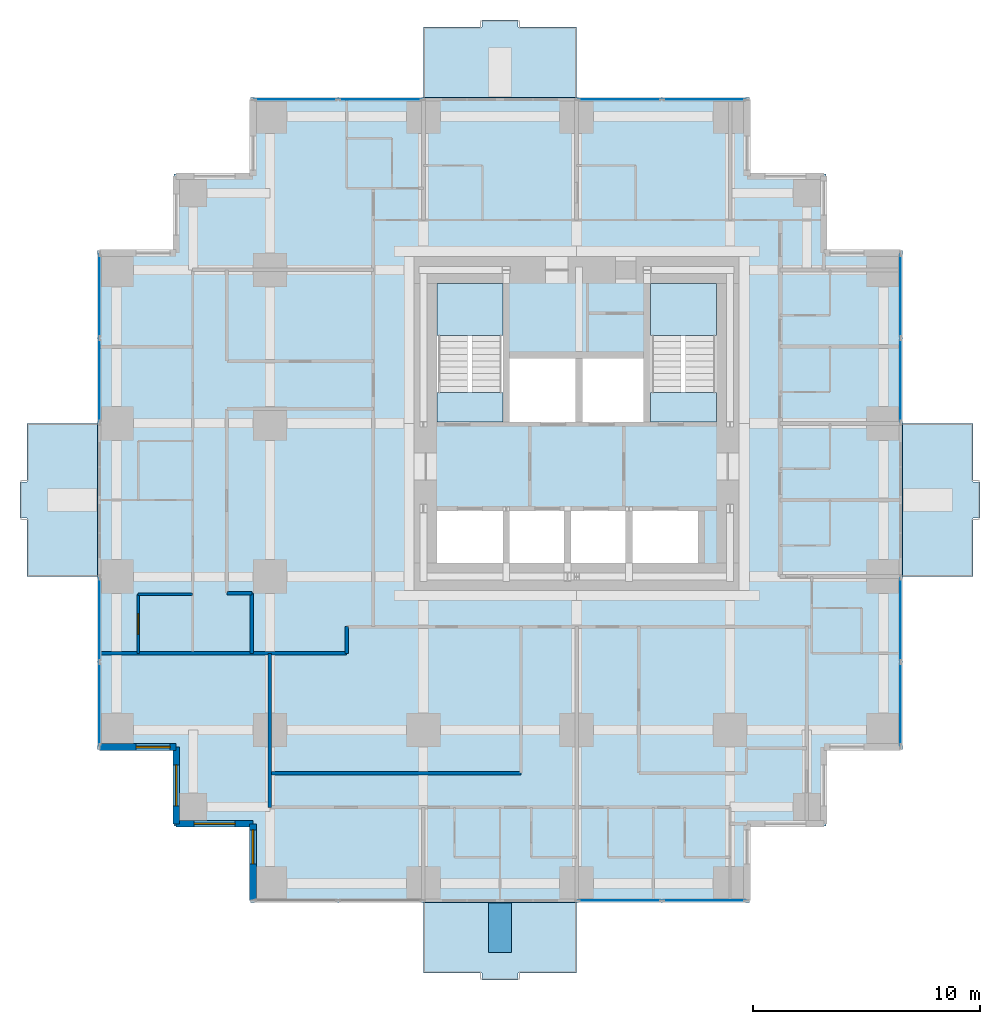
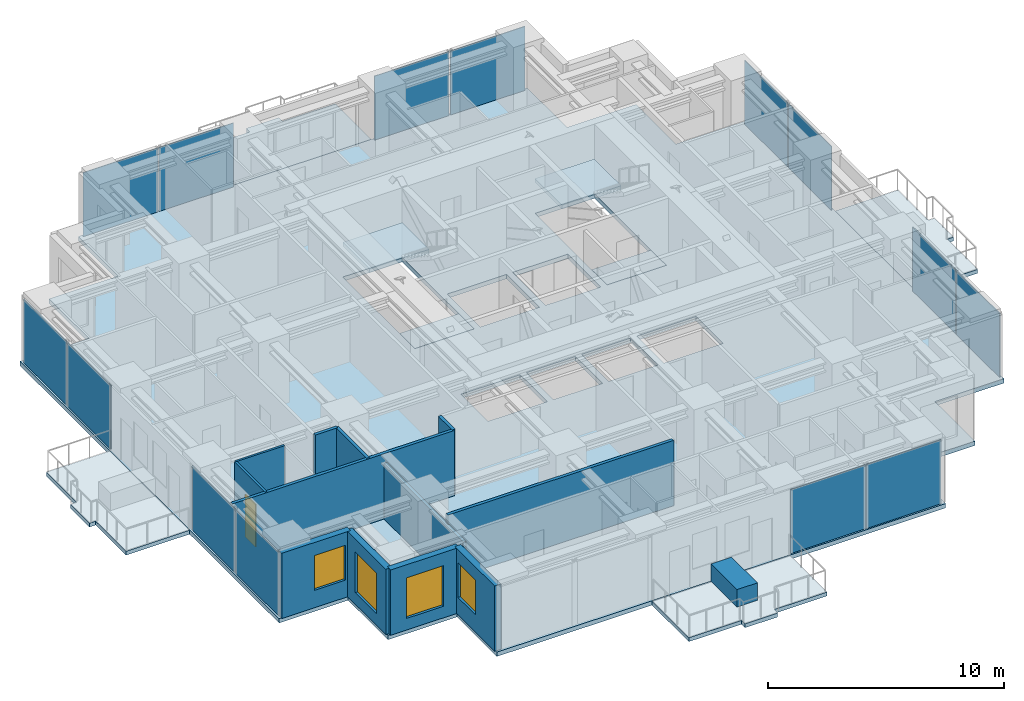
# One storey, part 4 of 10: 14 plates, 13 walls, 9 slabs, 4 windows, 1 door, 5 openings, 9 elements without a shape of their own.
"""IFC4 building model written with IfcOpenShell, lengths in metres."""

from ifc_helpers import new_model, si_unit, direction, frame, frame_2d, origin, origin_2d, place, context, subcontext, project, spatial, polyline, rectangle, outline, extrude, material, layer, layer_set, type_object, element, fill, aggregate, save


model = new_model("IFC4")

# Units and contexts
model_context = context("Model", 3, precision=1e-05, world=origin(), true_north=direction((0.0, 1.0)))
body_context = subcontext(model_context, "Body", "Model", "MODEL_VIEW")
ifc_project = project(units=[si_unit("LENGTHUNIT", "METRE"), si_unit("AREAUNIT", "SQUARE_METRE"), si_unit("VOLUMEUNIT", "CUBIC_METRE"), si_unit("PLANEANGLEUNIT", "RADIAN"), si_unit("MASSUNIT", "GRAM", prefix="KILO")], contexts=[model_context])

# Site, building, storey
site_placement = place(None, origin())
site = spatial("IfcSite", under=ifc_project, at=site_placement, CompositionType="ELEMENT")
building_placement = place(site_placement, origin())
building = spatial("IfcBuilding", under=site, at=building_placement, Name="Nyansa Garden Tower", CompositionType="ELEMENT")
storey_placement = place(building_placement, frame((0.0, 0.0, 163.800048828125)))
storey = spatial("IfcBuildingStorey", under=building, at=storey_placement, Name="L44", CompositionType="ELEMENT", Elevation=163.800048828125)

# Slabs
ifc_material_1 = material(Name="Concrete C40/50", Category="concrete")
ifc_layer_1 = layer(ifc_material_1, 0.199951171875)
ifc_layer_set_1 = layer_set([ifc_layer_1], Name="Balcony slab BS200")
slab_type_1 = type_object("IfcSlabType", Name="Balcony slab BS200", PredefinedType="FLOOR", material=ifc_layer_set_1)
slab_1_placement = place(storey_placement, frame((0.0, 0.0, -0.239990234375)))
element("IfcSlab", 1, at=slab_1_placement, inside=storey, type_object=slab_type_1, Name="Balcony L44 S", PredefinedType="FLOOR", context=body_context, shape_type="SweptSolid", body=[
    extrude(outline(polyline([(13.5, -0.85009765625), (20.25, -0.85009765625), (20.25, -3.949951171875), (17.675048828125, -3.949951171875), (17.675048828125, -4.25), (16.074951171875, -4.25), (16.074951171875, -3.949951171875), (13.5, -3.949951171875), (13.5, -0.85009765625)])), origin(), (0.0, 0.0, 1.0), 0.199951171875),
])
slab_2_placement = place(storey_placement, frame((0.0, 0.0, -0.239990234375)))
element("IfcSlab", 2, at=slab_2_placement, inside=storey, type_object=slab_type_1, Name="Balcony L44 E", PredefinedType="FLOOR", context=body_context, shape_type="SweptSolid", body=[
    extrude(outline(polyline([(34.60009765625, 13.5), (34.60009765625, 20.25), (37.699951171875, 20.25), (37.699951171875, 17.675048828125), (38.0, 17.675048828125), (38.0, 16.074951171875), (37.699951171875, 16.074951171875), (37.699951171875, 13.5), (34.60009765625, 13.5)])), origin(), (0.0, 0.0, 1.0), 0.199951171875),
])
slab_3_placement = place(storey_placement, frame((0.0, 0.0, -0.239990234375)))
element("IfcSlab", 3, at=slab_3_placement, inside=storey, type_object=slab_type_1, Name="Balcony L44 N", PredefinedType="FLOOR", context=body_context, shape_type="SweptSolid", body=[
    extrude(outline(polyline([(13.5, 34.60009765625), (20.25, 34.60009765625), (20.25, 37.699951171875), (17.675048828125, 37.699951171875), (17.675048828125, 38.0), (16.074951171875, 38.0), (16.074951171875, 37.699951171875), (13.5, 37.699951171875), (13.5, 34.60009765625)])), origin(), (0.0, 0.0, 1.0), 0.199951171875),
])
slab_4_placement = place(storey_placement, frame((0.0, 0.0, -0.239990234375)))
element("IfcSlab", 4, at=slab_4_placement, inside=storey, type_object=slab_type_1, Name="Balcony L44 W", PredefinedType="FLOOR", context=body_context, shape_type="SweptSolid", body=[
    extrude(outline(polyline([(-0.85009765625, 13.5), (-0.85009765625, 20.25), (-3.949951171875, 20.25), (-3.949951171875, 17.675048828125), (-4.25, 17.675048828125), (-4.25, 16.074951171875), (-3.949951171875, 16.074951171875), (-3.949951171875, 13.5), (-0.85009765625, 13.5)])), origin(), (0.0, 0.0, 1.0), 0.199951171875),
])

# Curtain wall, plates
ifc_material_2 = material(Name="Black anodised aluminium, dark tinted double glazing", Category="aluminium")
curtain_wall_type = type_object("IfcCurtainWallType", Name="Inner skin curtain wall ISW-C", PredefinedType="USERDEFINED", material=ifc_material_2)
curtain_wall_1_placement = place(storey_placement, origin())
curtain_wall_1 = element("IfcCurtainWall", 5, at=curtain_wall_1_placement, inside=storey, type_object=curtain_wall_type, Name="Inner skin curtain wall L44 E", ObjectType="UNITISED CURTAIN WALL", PredefinedType="USERDEFINED")
ifc_material_3 = material(Name="Dark tinted laminated double glazing", Category="glass")
ifc_layer_2 = layer(ifc_material_3, 0.0400390625)
ifc_layer_set_2 = layer_set([ifc_layer_2], Name="Dark tinted vision panel VP-C")
plate_type = type_object("IfcPlateType", Name="Dark tinted vision panel VP-C", PredefinedType="CURTAIN_PANEL", material=ifc_layer_set_2)
plate_1_placement = place(storey_placement, frame((34.5, 7.892578125, 0.0), z_axis=(0.0, 0.0, 1.0), x_axis=(0.0, 1.0, 0.0)))
plate_1 = element("IfcPlate", 6, at=plate_1_placement, type_object=plate_type, Name="ISW-C panel 1", PredefinedType="CURTAIN_PANEL", context=body_context, shape_type="SweptSolid", body=[
    extrude(rectangle(XDim=3.64501953125, YDim=0.0400390625, at=origin_2d()), origin(), (0.0, 0.0, 1.0), 3.304931640625),
])
plate_2_placement = place(storey_placement, frame((34.5, 11.607421875, 0.0), z_axis=(0.0, 0.0, 1.0), x_axis=(0.0, 1.0, 0.0)))
plate_2 = element("IfcPlate", 7, at=plate_2_placement, type_object=plate_type, Name="ISW-C panel 2", PredefinedType="CURTAIN_PANEL", context=body_context, shape_type="SweptSolid", body=[
    extrude(rectangle(XDim=3.64501953125, YDim=0.0400390625, at=origin_2d()), origin(), (0.0, 0.0, 1.0), 3.304931640625),
])
aggregate(curtain_wall_1, [plate_1, plate_2])

curtain_wall_2_placement = place(storey_placement, origin())
curtain_wall_2 = element("IfcCurtainWall", 8, at=curtain_wall_2_placement, inside=storey, type_object=curtain_wall_type, Name="Inner skin curtain wall L44 E", ObjectType="UNITISED CURTAIN WALL", PredefinedType="USERDEFINED")
plate_3_placement = place(storey_placement, frame((34.5, 22.142578125, 0.0), z_axis=(0.0, 0.0, 1.0), x_axis=(0.0, 1.0, 0.0)))
plate_3 = element("IfcPlate", 9, at=plate_3_placement, type_object=plate_type, Name="ISW-C panel 1", PredefinedType="CURTAIN_PANEL", context=body_context, shape_type="SweptSolid", body=[
    extrude(rectangle(XDim=3.64501953125, YDim=0.0400390625, at=origin_2d()), origin(), (0.0, 0.0, 1.0), 3.304931640625),
])
plate_4_placement = place(storey_placement, frame((34.5, 25.857421875, 0.0), z_axis=(0.0, 0.0, 1.0), x_axis=(0.0, 1.0, 0.0)))
plate_4 = element("IfcPlate", 10, at=plate_4_placement, type_object=plate_type, Name="ISW-C panel 2", PredefinedType="CURTAIN_PANEL", context=body_context, shape_type="SweptSolid", body=[
    extrude(rectangle(XDim=3.64501953125, YDim=0.0400390625, at=origin_2d()), origin(), (0.0, 0.0, 1.0), 3.304931640625),
])
aggregate(curtain_wall_2, [plate_3, plate_4])

curtain_wall_3_placement = place(storey_placement, origin())
curtain_wall_3 = element("IfcCurtainWall", 11, at=curtain_wall_3_placement, inside=storey, type_object=curtain_wall_type, Name="Inner skin curtain wall L44 N", ObjectType="UNITISED CURTAIN WALL", PredefinedType="USERDEFINED")
plate_5_placement = place(storey_placement, frame((11.607421875, 34.5, 0.0), z_axis=(0.0, 0.0, 1.0), x_axis=(-1.0, 0.0, 0.0)))
plate_5 = element("IfcPlate", 12, at=plate_5_placement, type_object=plate_type, Name="ISW-C panel 1", PredefinedType="CURTAIN_PANEL", context=body_context, shape_type="SweptSolid", body=[
    extrude(rectangle(XDim=3.64501953125, YDim=0.0400390625, at=origin_2d()), origin(), (0.0, 0.0, 1.0), 3.304931640625),
])
plate_6_placement = place(storey_placement, frame((7.892578125, 34.5, 0.0), z_axis=(0.0, 0.0, 1.0), x_axis=(-1.0, 0.0, 0.0)))
plate_6 = element("IfcPlate", 13, at=plate_6_placement, type_object=plate_type, Name="ISW-C panel 2", PredefinedType="CURTAIN_PANEL", context=body_context, shape_type="SweptSolid", body=[
    extrude(rectangle(XDim=3.64501953125, YDim=0.0400390625, at=origin_2d()), origin(), (0.0, 0.0, 1.0), 3.304931640625),
])
aggregate(curtain_wall_3, [plate_5, plate_6])

curtain_wall_4_placement = place(storey_placement, origin())
curtain_wall_4 = element("IfcCurtainWall", 14, at=curtain_wall_4_placement, inside=storey, type_object=curtain_wall_type, Name="Inner skin curtain wall L44 N", ObjectType="UNITISED CURTAIN WALL", PredefinedType="USERDEFINED")
plate_7_placement = place(storey_placement, frame((25.857421875, 34.5, 0.0), z_axis=(0.0, 0.0, 1.0), x_axis=(-1.0, 0.0, 0.0)))
plate_7 = element("IfcPlate", 15, at=plate_7_placement, type_object=plate_type, Name="ISW-C panel 1", PredefinedType="CURTAIN_PANEL", context=body_context, shape_type="SweptSolid", body=[
    extrude(rectangle(XDim=3.64501953125, YDim=0.0400390625, at=origin_2d()), origin(), (0.0, 0.0, 1.0), 3.304931640625),
])
plate_8_placement = place(storey_placement, frame((22.142578125, 34.5, 0.0), z_axis=(0.0, 0.0, 1.0), x_axis=(-1.0, 0.0, 0.0)))
plate_8 = element("IfcPlate", 16, at=plate_8_placement, type_object=plate_type, Name="ISW-C panel 2", PredefinedType="CURTAIN_PANEL", context=body_context, shape_type="SweptSolid", body=[
    extrude(rectangle(XDim=3.64501953125, YDim=0.0400390625, at=origin_2d()), origin(), (0.0, 0.0, 1.0), 3.304931640625),
])
aggregate(curtain_wall_4, [plate_7, plate_8])

curtain_wall_5_placement = place(storey_placement, origin())
curtain_wall_5 = element("IfcCurtainWall", 17, at=curtain_wall_5_placement, inside=storey, type_object=curtain_wall_type, Name="Inner skin curtain wall L44 W", ObjectType="UNITISED CURTAIN WALL", PredefinedType="USERDEFINED")
plate_9_placement = place(storey_placement, frame((-0.75, 11.607421875, 0.0), z_axis=(0.0, 0.0, 1.0), x_axis=(0.0, -1.0, 0.0)))
plate_9 = element("IfcPlate", 18, at=plate_9_placement, type_object=plate_type, Name="ISW-C panel 1", PredefinedType="CURTAIN_PANEL", context=body_context, shape_type="SweptSolid", body=[
    extrude(rectangle(XDim=3.64501953125, YDim=0.0400390625, at=origin_2d()), origin(), (0.0, 0.0, 1.0), 3.304931640625),
])
plate_10_placement = place(storey_placement, frame((-0.75, 7.892578125, 0.0), z_axis=(0.0, 0.0, 1.0), x_axis=(0.0, -1.0, 0.0)))
plate_10 = element("IfcPlate", 19, at=plate_10_placement, type_object=plate_type, Name="ISW-C panel 2", PredefinedType="CURTAIN_PANEL", context=body_context, shape_type="SweptSolid", body=[
    extrude(rectangle(XDim=3.64501953125, YDim=0.0400390625, at=origin_2d()), origin(), (0.0, 0.0, 1.0), 3.304931640625),
])
aggregate(curtain_wall_5, [plate_9, plate_10])

curtain_wall_6_placement = place(storey_placement, origin())
curtain_wall_6 = element("IfcCurtainWall", 20, at=curtain_wall_6_placement, inside=storey, type_object=curtain_wall_type, Name="Inner skin curtain wall L44 W", ObjectType="UNITISED CURTAIN WALL", PredefinedType="USERDEFINED")
plate_11_placement = place(storey_placement, frame((-0.75, 25.857421875, 0.0), z_axis=(0.0, 0.0, 1.0), x_axis=(0.0, -1.0, 0.0)))
plate_11 = element("IfcPlate", 21, at=plate_11_placement, type_object=plate_type, Name="ISW-C panel 1", PredefinedType="CURTAIN_PANEL", context=body_context, shape_type="SweptSolid", body=[
    extrude(rectangle(XDim=3.64501953125, YDim=0.0400390625, at=origin_2d()), origin(), (0.0, 0.0, 1.0), 3.304931640625),
])
plate_12_placement = place(storey_placement, frame((-0.75, 22.142578125, 0.0), z_axis=(0.0, 0.0, 1.0), x_axis=(0.0, -1.0, 0.0)))
plate_12 = element("IfcPlate", 22, at=plate_12_placement, type_object=plate_type, Name="ISW-C panel 2", PredefinedType="CURTAIN_PANEL", context=body_context, shape_type="SweptSolid", body=[
    extrude(rectangle(XDim=3.64501953125, YDim=0.0400390625, at=origin_2d()), origin(), (0.0, 0.0, 1.0), 3.304931640625),
])
aggregate(curtain_wall_6, [plate_11, plate_12])

curtain_wall_7_placement = place(storey_placement, origin())
curtain_wall_7 = element("IfcCurtainWall", 23, at=curtain_wall_7_placement, inside=storey, type_object=curtain_wall_type, Name="Inner skin curtain wall L44 S", ObjectType="UNITISED CURTAIN WALL", PredefinedType="USERDEFINED")
plate_13_placement = place(storey_placement, frame((22.142578125, -0.75, 0.0), z_axis=(0.0, 0.0, 1.0), x_axis=(1.0, 0.0, 0.0)))
plate_13 = element("IfcPlate", 24, at=plate_13_placement, type_object=plate_type, Name="ISW-C panel 1", PredefinedType="CURTAIN_PANEL", context=body_context, shape_type="SweptSolid", body=[
    extrude(rectangle(XDim=3.64501953125, YDim=0.0400390625, at=origin_2d()), origin(), (0.0, 0.0, 1.0), 3.304931640625),
])
plate_14_placement = place(storey_placement, frame((25.857421875, -0.75, 0.0), z_axis=(0.0, 0.0, 1.0), x_axis=(1.0, 0.0, 0.0)))
plate_14 = element("IfcPlate", 25, at=plate_14_placement, type_object=plate_type, Name="ISW-C panel 2", PredefinedType="CURTAIN_PANEL", context=body_context, shape_type="SweptSolid", body=[
    extrude(rectangle(XDim=3.64501953125, YDim=0.0400390625, at=origin_2d()), origin(), (0.0, 0.0, 1.0), 3.304931640625),
])
aggregate(curtain_wall_7, [plate_13, plate_14])

# Slab
ifc_material_4 = material(Name="Concrete C40/50", Category="concrete")
ifc_layer_3 = layer(ifc_material_4, 0.22509765625)
ifc_layer_set_3 = layer_set([ifc_layer_3], Name="Floor slab FS225")
slab_type_2 = type_object("IfcSlabType", Name="Floor slab FS225", PredefinedType="FLOOR", material=ifc_layer_set_3)
slab_5_placement = place(storey_placement, frame((0.0, 0.0, -0.22509765625)))
element("IfcSlab", 26, at=slab_5_placement, inside=storey, type_object=slab_type_2, Name="Floor slab L44", PredefinedType="FLOOR", context=body_context, shape_type="SweptSolid", body=[
    extrude(outline(polyline([(34.60009765625, 5.89990234375), (31.22509765625, 5.89990234375), (31.22509765625, 2.52490234375), (27.85009765625, 2.52490234375), (27.85009765625, -0.85009765625), (5.89990234375, -0.85009765625), (5.89990234375, 2.52490234375), (2.52490234375, 2.52490234375), (2.52490234375, 5.89990234375), (-0.85009765625, 5.89990234375), (-0.85009765625, 27.85009765625), (2.52490234375, 27.85009765625), (2.52490234375, 31.22509765625), (5.89990234375, 31.22509765625), (5.89990234375, 34.60009765625), (27.85009765625, 34.60009765625), (27.85009765625, 31.22509765625), (31.22509765625, 31.22509765625), (31.22509765625, 27.85009765625), (34.60009765625, 27.85009765625), (34.60009765625, 5.89990234375)]), holes=[polyline([(14.10009765625, 14.10009765625), (17.0, 14.10009765625), (17.0, 16.39990234375), (14.10009765625, 16.39990234375), (14.10009765625, 14.10009765625)]), polyline([(17.300048828125, 14.10009765625), (19.699951171875, 14.10009765625), (19.699951171875, 16.39990234375), (17.300048828125, 16.39990234375), (17.300048828125, 14.10009765625)]), polyline([(20.0, 14.10009765625), (22.39990234375, 14.10009765625), (22.39990234375, 16.39990234375), (20.0, 16.39990234375), (20.0, 14.10009765625)]), polyline([(22.699951171875, 14.10009765625), (25.60009765625, 14.10009765625), (25.60009765625, 16.39990234375), (22.699951171875, 16.39990234375), (22.699951171875, 14.10009765625)]), polyline([(17.300048828125, 20.300048828125), (20.199951171875, 20.300048828125), (20.199951171875, 23.10009765625), (17.300048828125, 23.10009765625), (17.300048828125, 20.300048828125)]), polyline([(20.5, 20.300048828125), (23.199951171875, 20.300048828125), (23.199951171875, 23.10009765625), (20.5, 23.10009765625), (20.5, 20.300048828125)]), polyline([(14.10009765625, 20.300048828125), (17.0, 20.300048828125), (17.0, 26.39990234375), (14.10009765625, 26.39990234375), (14.10009765625, 20.300048828125)]), polyline([(23.5, 20.300048828125), (26.39990234375, 20.300048828125), (26.39990234375, 26.39990234375), (23.5, 26.39990234375), (23.5, 20.300048828125)])]), origin(), (0.0, 0.0, 1.0), 0.22509765625),
])

# Stair, slabs
ifc_material_5 = material(Name="Precast concrete C40/50", Category="concrete")
stair_type_1 = type_object("IfcStairType", Name="Stair S1 180x280", PredefinedType="HALF_TURN_STAIR", material=ifc_material_5)
stair_1_placement = place(storey_placement, origin())
stair_1 = element("IfcStair", 27, at=stair_1_placement, inside=storey, type_object=stair_type_1, Name="Stair S1 L44", PredefinedType="HALF_TURN_STAIR")
ifc_material_6 = material(Name="Concrete C40/50", Category="concrete")
ifc_layer_4 = layer(ifc_material_6, 0.199951171875)
ifc_layer_set_4 = layer_set([ifc_layer_4], Name="Stair landing SL200")
slab_type_3 = type_object("IfcSlabType", Name="Stair landing SL200", PredefinedType="LANDING", material=ifc_layer_set_4)
slab_6_placement = place(storey_placement, frame((0.0, 0.0, -0.199951171875)))
slab_6 = element("IfcSlab", 28, at=slab_6_placement, type_object=slab_type_3, Name="S1 landing 1", PredefinedType="LANDING", context=body_context, shape_type="SweptSolid", body=[
    extrude(outline(polyline([(14.10009765625, 20.300048828125), (17.0, 20.300048828125), (17.0, 21.60009765625), (14.10009765625, 21.60009765625), (14.10009765625, 20.300048828125)])), origin(), (0.0, 0.0, 1.0), 0.199951171875),
])
slab_7_placement = place(storey_placement, frame((0.0, 0.0, 1.599853515625)))
slab_7 = element("IfcSlab", 29, at=slab_7_placement, type_object=slab_type_3, Name="S1 landing 2", PredefinedType="LANDING", context=body_context, shape_type="SweptSolid", body=[
    extrude(outline(polyline([(14.10009765625, 24.1201171875), (17.0, 24.1201171875), (17.0, 26.39990234375), (14.10009765625, 26.39990234375), (14.10009765625, 24.1201171875)])), origin(), (0.0, 0.0, 1.0), 0.2001953125),
])
aggregate(stair_1, [slab_6, slab_7])

ifc_material_7 = material(Name="Precast concrete C40/50", Category="concrete")
stair_type_2 = type_object("IfcStairType", Name="Stair S2 180x280", PredefinedType="HALF_TURN_STAIR", material=ifc_material_7)
stair_2_placement = place(storey_placement, origin())
stair_2 = element("IfcStair", 30, at=stair_2_placement, inside=storey, type_object=stair_type_2, Name="Stair S2 L44", PredefinedType="HALF_TURN_STAIR")
slab_8_placement = place(storey_placement, frame((0.0, 0.0, -0.199951171875)))
slab_8 = element("IfcSlab", 31, at=slab_8_placement, type_object=slab_type_3, Name="S2 landing 1", PredefinedType="LANDING", context=body_context, shape_type="SweptSolid", body=[
    extrude(outline(polyline([(23.5, 20.300048828125), (26.39990234375, 20.300048828125), (26.39990234375, 21.60009765625), (23.5, 21.60009765625), (23.5, 20.300048828125)])), origin(), (0.0, 0.0, 1.0), 0.199951171875),
])
slab_9_placement = place(storey_placement, frame((0.0, 0.0, 1.599853515625)))
slab_9 = element("IfcSlab", 32, at=slab_9_placement, type_object=slab_type_3, Name="S2 landing 2", PredefinedType="LANDING", context=body_context, shape_type="SweptSolid", body=[
    extrude(outline(polyline([(23.5, 24.1201171875), (26.39990234375, 24.1201171875), (26.39990234375, 26.39990234375), (23.5, 26.39990234375), (23.5, 24.1201171875)])), origin(), (0.0, 0.0, 1.0), 0.2001953125),
])
aggregate(stair_2, [slab_8, slab_9])

# Walls
ifc_material_8 = material(Name="Blockwork, plastered both sides", Category="masonry")
ifc_layer_5 = layer(ifc_material_8, 0.14990234375)
ifc_layer_set_5 = layer_set([ifc_layer_5], Name="Partition PW150")
wall_type_1 = type_object("IfcWallType", Name="Partition PW150", PredefinedType="PARTITIONING", material=ifc_layer_set_5)
wall_1_placement = place(storey_placement, frame((-0.73388671875, 10.125, 0.0), z_axis=(0.0, 0.0, 1.0), x_axis=(1.0, 0.0, 0.0)))
element("IfcWall", 33, at=wall_1_placement, inside=storey, type_object=wall_type_1, Name="Partition", PredefinedType="PARTITIONING", context=body_context, shape_type="SweptSolid", body=[
    extrude(rectangle(XDim=10.85888671875, YDim=0.14990234375, at=frame_2d((5.429443359375, 0.0))), origin(), (0.0, 0.0, 1.0), 3.375),
])
wall_2_placement = place(storey_placement, frame((4.85009765625, 12.77490234375, 0.0), z_axis=(0.0, 0.0, 1.0), x_axis=(1.0, 0.0, 0.0)))
element("IfcWall", 34, at=wall_2_placement, inside=storey, type_object=wall_type_1, Name="Partition", PredefinedType="PARTITIONING", context=body_context, shape_type="SweptSolid", body=[
    extrude(rectangle(XDim=1.099853515625, YDim=0.14990234375, at=frame_2d((0.5498046875, 0.0))), origin(), (0.0, 0.0, 1.0), 3.375),
])
wall_3_placement = place(storey_placement, frame((5.949951171875, 10.125, 0.0), z_axis=(0.0, 0.0, 1.0), x_axis=(0.0, 1.0, 0.0)))
element("IfcWall", 35, at=wall_3_placement, inside=storey, type_object=wall_type_1, Name="Partition", PredefinedType="PARTITIONING", context=body_context, shape_type="SweptSolid", body=[
    extrude(rectangle(XDim=2.64990234375, YDim=0.14990234375, at=frame_2d((1.324951171875, 0.0))), origin(), (0.0, 0.0, 1.0), 3.375),
])
wall_4_placement = place(storey_placement, frame((6.75, 3.35009765625, 0.0), z_axis=(0.0, 0.0, 1.0), x_axis=(0.0, 1.0, 0.0)))
element("IfcWall", 36, at=wall_4_placement, inside=storey, type_object=wall_type_1, Name="Partition", PredefinedType="PARTITIONING", context=body_context, shape_type="SweptSolid", body=[
    extrude(rectangle(XDim=6.77490234375, YDim=0.14990234375, at=frame_2d((3.387451171875, 0.0))), origin(), (0.0, 0.0, 1.0), 2.876953125),
])
wall_5_placement = place(storey_placement, frame((6.75, 4.85009765625, 0.0), z_axis=(0.0, 0.0, 1.0), x_axis=(1.0, 0.0, 0.0)))
element("IfcWall", 37, at=wall_5_placement, inside=storey, type_object=wall_type_1, Name="Partition", PredefinedType="PARTITIONING", context=body_context, shape_type="SweptSolid", body=[
    extrude(rectangle(XDim=11.050048828125, YDim=0.14990234375, at=frame_2d((5.52490234375, 0.0))), origin(), (0.0, 0.0, 1.0), 3.375),
])
wall_6_placement = place(storey_placement, frame((10.125, 10.125, 0.0), z_axis=(0.0, 0.0, 1.0), x_axis=(0.0, 1.0, 0.0)))
element("IfcWall", 38, at=wall_6_placement, inside=storey, type_object=wall_type_1, Name="Partition", PredefinedType="PARTITIONING", context=body_context, shape_type="SweptSolid", body=[
    extrude(rectangle(XDim=1.175048828125, YDim=0.14990234375, at=frame_2d((0.58740234375, 0.0))), origin(), (0.0, 0.0, 1.0), 3.375),
])

# Wall, opening, window
ifc_material_9 = material(Name="Turquoise glazed tile on concrete blockwork", Category="masonry")
ifc_layer_6 = layer(ifc_material_9, 0.300048828125)
ifc_layer_set_6 = layer_set([ifc_layer_6], Name="Tiled corner wall TW300")
wall_type_2 = type_object("IfcWallType", Name="Tiled corner wall TW300", PredefinedType="SOLIDWALL", material=ifc_layer_set_6)
wall_7_placement = place(storey_placement, frame((-0.75, 6.0, 0.0), z_axis=(0.0, 0.0, 1.0), x_axis=(1.0, 0.0, 0.0)))
wall_7 = element("IfcWall", 39, at=wall_7_placement, inside=storey, type_object=wall_type_2, Name="Tiled corner wall L44", PredefinedType="SOLIDWALL", context=body_context, shape_type="SweptSolid", body=[
    extrude(rectangle(XDim=3.375, YDim=0.300048828125, at=frame_2d((1.6875, 0.0))), origin(), (0.0, 0.0, 1.0), 3.375),
])
opening_1_placement = place(wall_7_placement, frame((1.607421875, 0.0, 0.89990234375)))
opening_1 = element("IfcOpeningElement", 40, at=opening_1_placement, cuts=wall_7, Name="Opening W1", PredefinedType="OPENING", context=body_context, shape_type="SweptSolid", body=[
    extrude(rectangle(XDim=1.5, YDim=1.800048828125, at=frame_2d((0.75, 0.89990234375))), frame((0.0, 0.159912109375, 0.0), z_axis=(0.0, -1.0, 0.0), x_axis=(1.0, 0.0, 0.0)), (0.0, 0.0, 1.0), 0.320068359375),
])
ifc_material_10 = material(Name="Black aluminium frame, dark tinted double glazing", Category="aluminium")
window_type_1 = type_object("IfcWindowType", Name="Window W1 1500x1800", PartitioningType="SINGLE_PANEL", PredefinedType="WINDOW", material=ifc_material_10)
window_1_placement = place(opening_1_placement, origin())
window_1 = element("IfcWindow", 41, at=window_1_placement, inside=storey, type_object=window_type_1, Name="Corner window L44", OverallHeight=1.800048828125, OverallWidth=1.5, PartitioningType="SINGLE_PANEL", PredefinedType="WINDOW", context=body_context, shape_type="SweptSolid", body=[
    extrude(rectangle(XDim=1.5, YDim=1.800048828125, at=frame_2d((0.75, 0.89990234375))), frame((0.0, 0.030029296875, 0.0), z_axis=(0.0, -1.0, 0.0), x_axis=(1.0, 0.0, 0.0)), (0.0, 0.0, 1.0), 0.06005859375),
])
fill(opening_1, window_1)

wall_8_placement = place(storey_placement, frame((2.625, 6.0, 0.0), z_axis=(0.0, 0.0, 1.0), x_axis=(0.0, -1.0, 0.0)))
wall_8 = element("IfcWall", 42, at=wall_8_placement, inside=storey, type_object=wall_type_2, Name="Tiled corner wall L44", PredefinedType="SOLIDWALL", context=body_context, shape_type="SweptSolid", body=[
    extrude(rectangle(XDim=3.375, YDim=0.300048828125, at=frame_2d((1.6875, 0.0))), origin(), (0.0, 0.0, 1.0), 3.375),
])
opening_2_placement = place(wall_8_placement, frame((0.78759765625, 0.0, 0.60009765625)))
opening_2 = element("IfcOpeningElement", 43, at=opening_2_placement, cuts=wall_8, Name="Opening W2", PredefinedType="OPENING", context=body_context, shape_type="SweptSolid", body=[
    extrude(rectangle(XDim=1.800048828125, YDim=2.10009765625, at=frame_2d((0.89990234375, 1.050048828125))), frame((0.0, 0.159912109375, 0.0), z_axis=(0.0, -1.0, 0.0), x_axis=(1.0, 0.0, 0.0)), (0.0, 0.0, 1.0), 0.320068359375),
])
ifc_material_11 = material(Name="Black aluminium frame, dark tinted double glazing", Category="aluminium")
window_type_2 = type_object("IfcWindowType", Name="Window W2 1800x2100", PartitioningType="SINGLE_PANEL", PredefinedType="WINDOW", material=ifc_material_11)
window_2_placement = place(opening_2_placement, origin())
window_2 = element("IfcWindow", 44, at=window_2_placement, inside=storey, type_object=window_type_2, Name="Corner window L44", OverallHeight=2.10009765625, OverallWidth=1.800048828125, PartitioningType="SINGLE_PANEL", PredefinedType="WINDOW", context=body_context, shape_type="SweptSolid", body=[
    extrude(rectangle(XDim=1.800048828125, YDim=2.10009765625, at=frame_2d((0.89990234375, 1.050048828125))), frame((0.0, 0.030029296875, 0.0), z_axis=(0.0, -1.0, 0.0), x_axis=(1.0, 0.0, 0.0)), (0.0, 0.0, 1.0), 0.06005859375),
])
fill(opening_2, window_2)

wall_9_placement = place(storey_placement, frame((2.625, 2.625, 0.0), z_axis=(0.0, 0.0, 1.0), x_axis=(1.0, 0.0, 0.0)))
wall_9 = element("IfcWall", 45, at=wall_9_placement, inside=storey, type_object=wall_type_2, Name="Tiled corner wall L44", PredefinedType="SOLIDWALL", context=body_context, shape_type="SweptSolid", body=[
    extrude(rectangle(XDim=3.375, YDim=0.300048828125, at=frame_2d((1.6875, 0.0))), origin(), (0.0, 0.0, 1.0), 3.375),
])
opening_3_placement = place(wall_9_placement, frame((0.78759765625, 0.0, 0.60009765625)))
opening_3 = element("IfcOpeningElement", 46, at=opening_3_placement, cuts=wall_9, Name="Opening W2", PredefinedType="OPENING", context=body_context, shape_type="SweptSolid", body=[
    extrude(rectangle(XDim=1.800048828125, YDim=2.10009765625, at=frame_2d((0.89990234375, 1.050048828125))), frame((0.0, 0.159912109375, 0.0), z_axis=(0.0, -1.0, 0.0), x_axis=(1.0, 0.0, 0.0)), (0.0, 0.0, 1.0), 0.320068359375),
])
window_3_placement = place(opening_3_placement, origin())
window_3 = element("IfcWindow", 47, at=window_3_placement, inside=storey, type_object=window_type_2, Name="Corner window L44", OverallHeight=2.10009765625, OverallWidth=1.800048828125, PartitioningType="SINGLE_PANEL", PredefinedType="WINDOW", context=body_context, shape_type="SweptSolid", body=[
    extrude(rectangle(XDim=1.800048828125, YDim=2.10009765625, at=frame_2d((0.89990234375, 1.050048828125))), frame((0.0, 0.030029296875, 0.0), z_axis=(0.0, -1.0, 0.0), x_axis=(1.0, 0.0, 0.0)), (0.0, 0.0, 1.0), 0.06005859375),
])
fill(opening_3, window_3)

wall_10_placement = place(storey_placement, frame((6.0, 2.625, 0.0), z_axis=(0.0, 0.0, 1.0), x_axis=(0.0, -1.0, 0.0)))
wall_10 = element("IfcWall", 48, at=wall_10_placement, inside=storey, type_object=wall_type_2, Name="Tiled corner wall L44", PredefinedType="SOLIDWALL", context=body_context, shape_type="SweptSolid", body=[
    extrude(rectangle(XDim=3.375, YDim=0.300048828125, at=frame_2d((1.6875, 0.0))), origin(), (0.0, 0.0, 1.0), 3.375),
])
opening_4_placement = place(wall_10_placement, frame((0.267578125, 0.0, 0.89990234375)))
opening_4 = element("IfcOpeningElement", 49, at=opening_4_placement, cuts=wall_10, Name="Opening W1", PredefinedType="OPENING", context=body_context, shape_type="SweptSolid", body=[
    extrude(rectangle(XDim=1.5, YDim=1.800048828125, at=frame_2d((0.75, 0.89990234375))), frame((0.0, 0.159912109375, 0.0), z_axis=(0.0, -1.0, 0.0), x_axis=(1.0, 0.0, 0.0)), (0.0, 0.0, 1.0), 0.320068359375),
])
window_4_placement = place(opening_4_placement, origin())
window_4 = element("IfcWindow", 50, at=window_4_placement, inside=storey, type_object=window_type_1, Name="Corner window L44", OverallHeight=1.800048828125, OverallWidth=1.5, PartitioningType="SINGLE_PANEL", PredefinedType="WINDOW", context=body_context, shape_type="SweptSolid", body=[
    extrude(rectangle(XDim=1.5, YDim=1.800048828125, at=frame_2d((0.75, 0.89990234375))), frame((0.0, 0.030029296875, 0.0), z_axis=(0.0, -1.0, 0.0), x_axis=(1.0, 0.0, 0.0)), (0.0, 0.0, 1.0), 0.06005859375),
])
fill(opening_4, window_4)

# Wall
ifc_material_12 = material(Name="Concrete C40/50 planter, waterproofed", Category="concrete")
ifc_layer_7 = layer(ifc_material_12, 1.0)
ifc_layer_set_7 = layer_set([ifc_layer_7], Name="Tree planter TP1")
wall_type_3 = type_object("IfcWallType", Name="Tree planter TP1", PredefinedType="USERDEFINED", material=ifc_layer_set_7)
wall_11_placement = place(storey_placement, frame((16.875, -0.85009765625, 0.0), z_axis=(0.0, 0.0, 1.0), x_axis=(0.0, -1.0, 0.0)))
element("IfcWall", 51, at=wall_11_placement, inside=storey, type_object=wall_type_3, Name="Tree planter L44", ObjectType="TREE PLANTER", PredefinedType="USERDEFINED", context=body_context, shape_type="SweptSolid", body=[
    extrude(rectangle(XDim=2.199951171875, YDim=1.0, at=frame_2d((1.10009765625, 0.0))), origin(), (0.0, 0.0, 1.0), 0.89990234375),
])

# Wall, opening, door
ifc_material_13 = material(Name="Moisture resistant board on steel studs, tiled", Category="steel")
ifc_layer_8 = layer(ifc_material_13, 0.10009765625)
ifc_layer_set_8 = layer_set([ifc_layer_8], Name="Wet wall PW100")
wall_type_4 = type_object("IfcWallType", Name="Wet wall PW100", PredefinedType="PARTITIONING", material=ifc_layer_set_8)
wall_12_placement = place(storey_placement, frame((0.949951171875, 10.125, 0.0), z_axis=(0.0, 0.0, 1.0), x_axis=(0.0, 1.0, 0.0)))
wall_12 = element("IfcWall", 52, at=wall_12_placement, inside=storey, type_object=wall_type_4, Name="Wet wall", PredefinedType="PARTITIONING", context=body_context, shape_type="SweptSolid", body=[
    extrude(rectangle(XDim=2.60009765625, YDim=0.10009765625, at=frame_2d((1.300048828125, 0.0))), origin(), (0.0, 0.0, 1.0), 3.375),
])
opening_5_placement = place(wall_12_placement, frame((0.85009765625, 0.0, 0.0)))
opening_5 = element("IfcOpeningElement", 53, at=opening_5_placement, cuts=wall_12, Name="Opening D02", PredefinedType="OPENING", context=body_context, shape_type="SweptSolid", body=[
    extrude(rectangle(XDim=0.89990234375, YDim=2.199951171875, at=frame_2d((0.449951171875, 1.10009765625))), frame((0.0, 0.06005859375, 0.0), z_axis=(0.0, -1.0, 0.0), x_axis=(1.0, 0.0, 0.0)), (0.0, 0.0, 1.0), 0.1201171875),
])
ifc_material_14 = material(Name="Timber flush door", Category="wood")
door_type = type_object("IfcDoorType", Name="En-suite door D02 900x2200", OperationType="SINGLE_SWING_RIGHT", PredefinedType="DOOR", material=ifc_material_14)
door_placement = place(opening_5_placement, origin())
door = element("IfcDoor", 54, at=door_placement, inside=storey, type_object=door_type, Name="Door L44-052", OperationType="SINGLE_SWING_RIGHT", OverallHeight=2.199951171875, OverallWidth=0.89990234375, PredefinedType="DOOR", context=body_context, shape_type="SweptSolid", body=[
    extrude(rectangle(XDim=0.89990234375, YDim=2.199951171875, at=frame_2d((0.449951171875, 1.10009765625))), frame((0.0, 0.02490234375, 0.0), z_axis=(0.0, -1.0, 0.0), x_axis=(1.0, 0.0, 0.0)), (0.0, 0.0, 1.0), 0.050048828125),
])
fill(opening_5, door)

# Wall
wall_13_placement = place(storey_placement, frame((0.949951171875, 12.72509765625, 0.0), z_axis=(0.0, 0.0, 1.0), x_axis=(1.0, 0.0, 0.0)))
element("IfcWall", 55, at=wall_13_placement, inside=storey, type_object=wall_type_4, Name="Wet wall", PredefinedType="PARTITIONING", context=body_context, shape_type="SweptSolid", body=[
    extrude(rectangle(XDim=2.400146484375, YDim=0.10009765625, at=frame_2d((1.2001953125, 0.0))), origin(), (0.0, 0.0, 1.0), 3.375),
])

save(model, "model.ifc")
